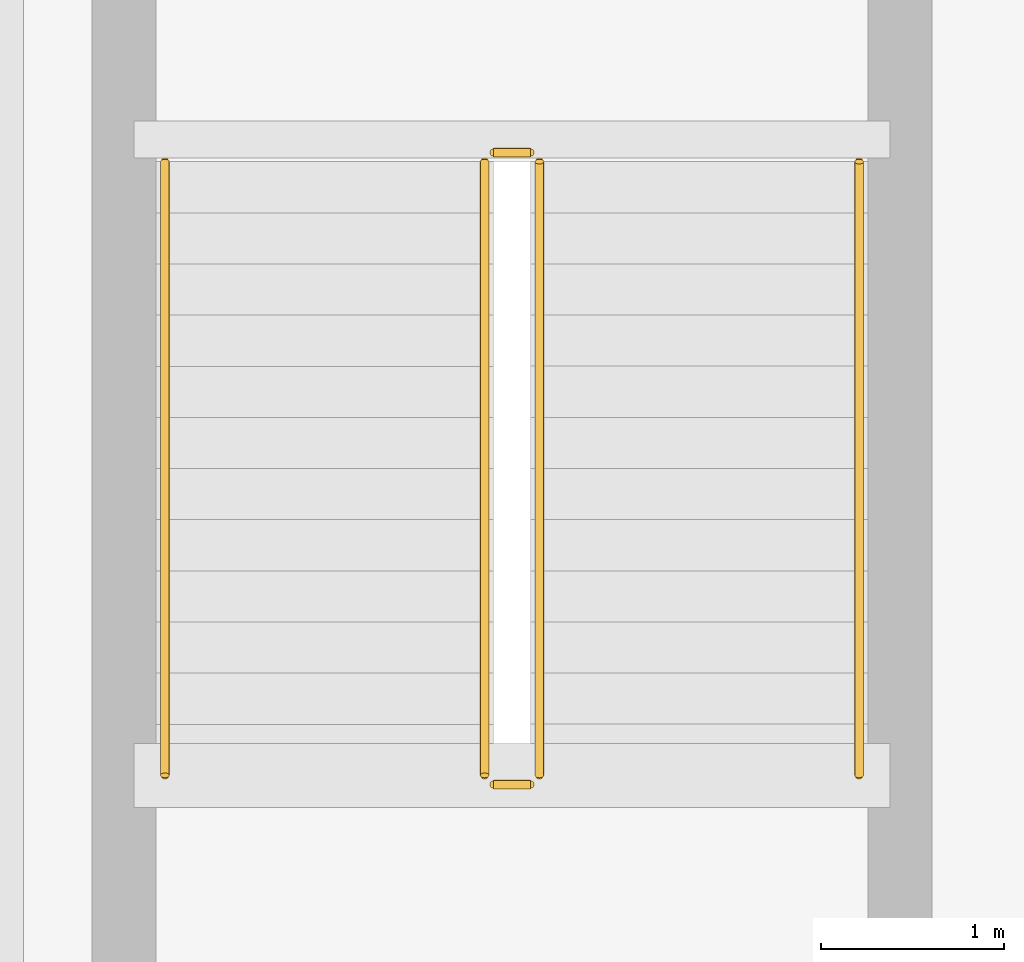
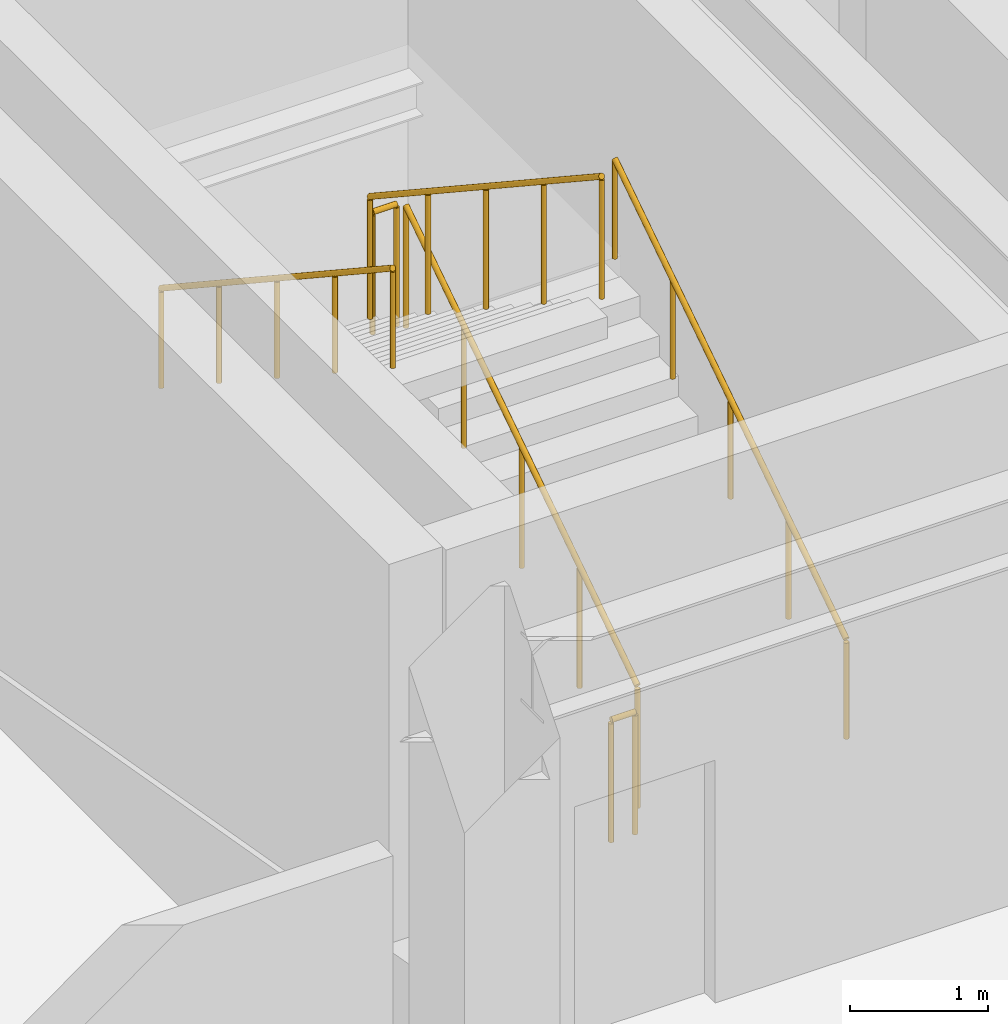
# One storey, part 90 of 96: 6 railings.
"""IFC4 building model written with IfcOpenShell, lengths in metres."""

import ifcopenshell
import ifcopenshell.guid

model = None  # the IFC model being written
_history = None  # IfcOwnerHistory: only IFC2X3 demands one
_inside = {}  # id of a spatial element -> (the spatial element, [elements in it])
_under = {}  # id of a project, library or spatial element -> (it, [spatial elements below it])
_declared = {}  # id of a project -> (the project, [libraries it declares])
_typed = {}  # id of a type object -> (the type object, [elements of that type])
_made_of = {}  # id of a material, layer set ... -> (it, [elements and type objects made of it])


def new_model(schema):
    """Start an empty IFC model of exactly this schema.

    Asked for "IFC4X3", IfcOpenShell would pick the latest addendum, in which some entities
    have other attributes; the version numbers below select the first issue.
    IFC2X3 requires an IfcOwnerHistory on every rooted entity: one is made here for all.
    """
    global model, _history
    if schema == "IFC4X3":
        model = ifcopenshell.file(schema_version=(4, 3, 0, 0))
    else:
        model = ifcopenshell.file(schema=schema)
    _inside.clear()
    _under.clear()
    _declared.clear()
    _typed.clear()
    _made_of.clear()
    _history = None
    if model.schema == "IFC2X3":
        org = make("IfcOrganization", Name="unknown")
        user = make(
            "IfcPersonAndOrganization",
            ThePerson=make("IfcPerson", FamilyName="unknown"),
            TheOrganization=org,
        )
        app = make(
            "IfcApplication",
            ApplicationDeveloper=org,
            Version="unknown",
            ApplicationFullName="unknown",
            ApplicationIdentifier="unknown",
        )
        _history = make(
            "IfcOwnerHistory",
            OwningUser=user,
            OwningApplication=app,
            ChangeAction="ADDED",
            CreationDate=0,
        )
    return model


def make(cls, **values):
    """One entity of the class cls with the attributes given. An attribute that is None is left unset."""
    return model.create_entity(
        cls, **{name: value for name, value in values.items() if value is not None}
    )


def rooted(cls, **values):
    """An entity with a GlobalId (a new one), such as an element, a storey or a relation."""
    return make(cls, GlobalId=ifcopenshell.guid.new(), OwnerHistory=_history, **values)


def si_unit(unit_type, name, prefix=None):
    """IfcSIUnit, for example si_unit("LENGTHUNIT", "METRE", prefix="MILLI")."""
    return make("IfcSIUnit", UnitType=unit_type, Prefix=prefix, Name=name)


def assignment(units):
    """IfcUnitAssignment: the units of a project."""
    return None if units is None else make("IfcUnitAssignment", Units=units)


def point(xyz):
    """IfcCartesianPoint."""
    return None if xyz is None else make("IfcCartesianPoint", Coordinates=xyz)


def direction(xyz):
    """IfcDirection."""
    return None if xyz is None else make("IfcDirection", DirectionRatios=xyz)


def frame(location, z_axis=None, x_axis=None):
    """IfcAxis2Placement3D, a coordinate frame: its origin and axes. An axis left out is left unset."""
    return make(
        "IfcAxis2Placement3D",
        Location=point(location),
        Axis=direction(z_axis),
        RefDirection=direction(x_axis),
    )


def frame_2d(location, x_axis=None):
    """IfcAxis2Placement2D, a coordinate frame in the plane: its origin and x axis."""
    return make(
        "IfcAxis2Placement2D", Location=point(location), RefDirection=direction(x_axis)
    )


def origin():
    """The frame at (0, 0, 0) with its axes left unset."""
    return frame((0.0, 0.0, 0.0))


def origin_2d():
    """The frame at (0, 0) in the plane with its x axis left unset."""
    return frame_2d((0.0, 0.0))


def place(relative_to, where):
    """IfcLocalPlacement: puts the frame where relative to a parent placement (None: the world)."""
    return make(
        "IfcLocalPlacement", PlacementRelTo=relative_to, RelativePlacement=where
    )


def context(
    kind, dimensions, precision=None, world=None, true_north=None, identifier=None
):
    """IfcGeometricRepresentationContext, for example the 3D "Model" context."""
    return make(
        "IfcGeometricRepresentationContext",
        ContextIdentifier=identifier,
        ContextType=kind,
        CoordinateSpaceDimension=dimensions,
        Precision=precision,
        WorldCoordinateSystem=world,
        TrueNorth=true_north,
    )


def subcontext(parent, identifier, kind, view, scale=None):
    """IfcGeometricRepresentationSubContext, for example "Body" below "Model"."""
    return make(
        "IfcGeometricRepresentationSubContext",
        ContextIdentifier=identifier,
        ContextType=kind,
        ParentContext=parent,
        TargetScale=scale,
        TargetView=view,
    )


def project(units=None, contexts=None):
    """IfcProject with its units and contexts."""
    return rooted(
        "IfcProject",
        Name="project",
        RepresentationContexts=contexts,
        UnitsInContext=assignment(units),
    )


def spatial(cls, under=None, at=None, **own):
    """A site, building, storey or space (cls), placed at a placement, below another one or the project."""
    s = rooted(cls, ObjectPlacement=at, **own)
    if under is not None:
        _under.setdefault(under.id(), (under, []))[1].append(s)
    return s


def profile(cls, at=None, kind="AREA", **sizes):
    """A parametric profile (cls). Its sizes go by their IFC names, for example OverallWidth=200.0."""
    return make(cls, ProfileType=kind, Position=at, **sizes)


def circle(**sizes):
    """IfcCircleProfileDef."""
    return profile("IfcCircleProfileDef", **sizes)


def extrude(swept, where, along, depth):
    """IfcExtrudedAreaSolid: the profile swept, set in the frame where, extruded along a direction by depth."""
    return make(
        "IfcExtrudedAreaSolid",
        SweptArea=swept,
        Position=where,
        ExtrudedDirection=direction(along),
        Depth=depth,
    )


def shape(context_of_items, identifier, shape_type, items):
    """IfcShapeRepresentation: the items that make up one representation, for example the "Body"."""
    return make(
        "IfcShapeRepresentation",
        ContextOfItems=context_of_items,
        RepresentationIdentifier=identifier,
        RepresentationType=shape_type,
        Items=items,
    )


def material(Name=None, Category=None):
    """IfcMaterial."""
    return make("IfcMaterial", Name=Name, Category=Category)


def made_of(thing, what):
    """Note that an element or type object is made of a material, layer set ...; save() writes the relation."""
    if what is not None:
        _made_of.setdefault(what.id(), (what, []))[1].append(thing)
    return thing


def type_object(cls, material=None, **own):
    """A type object (cls), such as IfcWallType, which elements share."""
    return made_of(rooted(cls, **own), material)


def element(
    cls,
    number,
    at=None,
    inside=None,
    cuts=None,
    type_object=None,
    material=None,
    context=None,
    identifier="Body",
    shape_type=None,
    held_by="IfcProductDefinitionShape",
    body=None,
    shapes=None,
    **own,
):
    """One element of the class cls, such as IfcWall. Its Tag is "e" and its number.

    at: its placement. inside: the storey or other place that contains it. cuts: it is an
    opening in that element (IfcRelVoidsElement). A single representation is given by context,
    identifier, shape_type and body (its items); several are given by shapes. held_by: the class
    of the entity that holds the representations. save() writes the other relations.
    """
    e = rooted(cls, Tag="e%d" % number, ObjectPlacement=at, **own)
    if body is not None:
        shapes = [shape(context, identifier, shape_type, body)]
    if shapes is not None:
        e.Representation = make(held_by, Representations=shapes)
    if inside is not None:
        _inside.setdefault(inside.id(), (inside, []))[1].append(e)
    if cuts is not None:
        rooted(
            "IfcRelVoidsElement", RelatingBuildingElement=cuts, RelatedOpeningElement=e
        )
    if type_object is not None:
        _typed.setdefault(type_object.id(), (type_object, []))[1].append(e)
    return made_of(e, material)


def aggregate(whole, parts):
    """IfcRelAggregates: a whole, such as a stair, and the parts it consists of."""
    return rooted("IfcRelAggregates", RelatingObject=whole, RelatedObjects=parts)


def save(model, path):
    """Write the relations noted so far, then the file.

    IfcRelAggregates (storeys below a building ...), IfcRelContainedInSpatialStructure (elements
    in a storey), IfcRelDefinesByType, IfcRelAssociatesMaterial and IfcRelDeclares: one each for
    every whole, place, type object, material and project.
    """
    for whole, parts in _under.values():
        aggregate(whole, parts)
    for where, things in _inside.values():
        rooted(
            "IfcRelContainedInSpatialStructure",
            RelatedElements=things,
            RelatingStructure=where,
        )
    for kind, things in _typed.values():
        rooted("IfcRelDefinesByType", RelatedObjects=things, RelatingType=kind)
    for what, things in _made_of.values():
        rooted("IfcRelAssociatesMaterial", RelatedObjects=things, RelatingMaterial=what)
    for by, libraries in _declared.values():
        rooted("IfcRelDeclares", RelatingContext=by, RelatedDefinitions=libraries)
    model.write(path)


model = new_model("IFC4")

# Units and contexts
model_context = context("Model", 3, precision=1e-05, world=origin(), true_north=direction((0.0, 1.0)))
body_context = subcontext(model_context, "Body", "Model", "MODEL_VIEW")
ifc_project = project(units=[si_unit("LENGTHUNIT", "METRE"), si_unit("AREAUNIT", "SQUARE_METRE"), si_unit("VOLUMEUNIT", "CUBIC_METRE"), si_unit("PLANEANGLEUNIT", "RADIAN"), si_unit("MASSUNIT", "GRAM", prefix="KILO")], contexts=[model_context])

# Site, building, storey
site_placement = place(None, origin())
site = spatial("IfcSite", under=ifc_project, at=site_placement, CompositionType="ELEMENT")
building_placement = place(site_placement, origin())
building = spatial("IfcBuilding", under=site, at=building_placement, Name="Vaelkrest Opera House", CompositionType="ELEMENT")
storey_placement = place(building_placement, frame((0.0, 0.0, 5.39990234375)))
storey = spatial("IfcBuildingStorey", under=building, at=storey_placement, Name="L01", CompositionType="ELEMENT", Elevation=5.39990234375)

# Railings
ifc_material = material(Name="Dark bronze anodized aluminium", Category="aluminium")
railing_type_1 = type_object("IfcRailingType", Name="GR02", PredefinedType="GUARDRAIL", material=ifc_material)
railing_1_placement = place(storey_placement, frame((21.10009765625, -25.64990234375, 0.184814453125)))
element("IfcRailing", 1, at=railing_1_placement, inside=storey, type_object=railing_type_1, Name="L01 ST02 stair guard 1", PredefinedType="GUARDRAIL", context=body_context, shape_type="SweptSolid", body=[
    extrude(circle(Radius=0.02392578125, at=origin_2d()), frame((0.0, 0.0, 1.076171875), z_axis=(0.0, 0.834858096282, 0.550465220583), x_axis=(-1.0, 0.0, 0.0)), (0.0, 0.0, 1.0), 4.0244140625),
    extrude(circle(Radius=0.02099609375, at=origin_2d()), origin(), (0.0, 0.0, 1.0), 1.052001953125),
    extrude(circle(Radius=0.02099609375, at=origin_2d()), frame((0.0, 0.83984375, 0.5537109375)), (0.0, 0.0, 1.0), 1.052001953125),
    extrude(circle(Radius=0.02099609375, at=origin_2d()), frame((0.0, 1.679931640625, 1.107666015625)), (0.0, 0.0, 1.0), 1.052001953125),
    extrude(circle(Radius=0.02099609375, at=origin_2d()), frame((0.0, 2.52001953125, 1.66162109375)), (0.0, 0.0, 1.0), 1.052001953125),
    extrude(circle(Radius=0.02099609375, at=origin_2d()), frame((0.0, 3.35986328125, 2.21533203125)), (0.0, 0.0, 1.0), 1.052001953125),
])
railing_2_placement = place(storey_placement, frame((21.050048828125, -22.239990234375, 2.400146484375)))
element("IfcRailing", 2, at=railing_2_placement, inside=storey, type_object=railing_type_1, Name="L01 ST02 stair guard 2", PredefinedType="GUARDRAIL", context=body_context, shape_type="SweptSolid", body=[
    extrude(circle(Radius=0.02392578125, at=origin_2d()), frame((0.0, 0.0, 1.076171875), z_axis=(-1.0, 0.0, 0.0), x_axis=(0.0, -1.0, 0.0)), (0.0, 0.0, 1.0), 0.199951171875),
    extrude(circle(Radius=0.02099609375, at=origin_2d()), origin(), (0.0, 0.0, 1.0), 1.052001953125),
    extrude(circle(Radius=0.02099609375, at=origin_2d()), frame((-0.199951171875, 0.0, 0.0)), (0.0, 0.0, 1.0), 1.052001953125),
])
railing_3_placement = place(storey_placement, frame((20.800048828125, -22.2900390625, 2.584716796875)))
element("IfcRailing", 3, at=railing_3_placement, inside=storey, type_object=railing_type_1, Name="L01 ST02 stair guard 3", PredefinedType="GUARDRAIL", context=body_context, shape_type="SweptSolid", body=[
    extrude(circle(Radius=0.02392578125, at=origin_2d()), frame((0.0, 0.0, 1.076171875), z_axis=(0.0, -0.834858096282, 0.550465220583), x_axis=(1.0, 0.0, 0.0)), (0.0, 0.0, 1.0), 4.0244140625),
    extrude(circle(Radius=0.02099609375, at=origin_2d()), origin(), (0.0, 0.0, 1.0), 1.052001953125),
    extrude(circle(Radius=0.02099609375, at=origin_2d()), frame((0.0, -0.83984375, 0.5537109375)), (0.0, 0.0, 1.0), 1.052001953125),
    extrude(circle(Radius=0.02099609375, at=origin_2d()), frame((0.0, -1.679931640625, 1.107666015625)), (0.0, 0.0, 1.0), 1.052001953125),
    extrude(circle(Radius=0.02099609375, at=origin_2d()), frame((0.0, -2.52001953125, 1.66162109375)), (0.0, 0.0, 1.0), 1.052001953125),
    extrude(circle(Radius=0.02099609375, at=origin_2d()), frame((0.0, -3.35986328125, 2.21533203125)), (0.0, 0.0, 1.0), 1.052001953125),
])
railing_4_placement = place(storey_placement, frame((21.050048828125, -25.699951171875, 0.0)))
element("IfcRailing", 4, at=railing_4_placement, inside=storey, type_object=railing_type_1, Name="L01 ST02 stair guard 4", PredefinedType="GUARDRAIL", context=body_context, shape_type="SweptSolid", body=[
    extrude(circle(Radius=0.02392578125, at=origin_2d()), frame((0.0, 0.0, 1.076171875), z_axis=(-1.0, 0.0, 0.0), x_axis=(0.0, -1.0, 0.0)), (0.0, 0.0, 1.0), 0.199951171875),
    extrude(circle(Radius=0.02099609375, at=origin_2d()), origin(), (0.0, 0.0, 1.0), 1.052001953125),
    extrude(circle(Radius=0.02099609375, at=origin_2d()), frame((-0.199951171875, 0.0, 0.0)), (0.0, 0.0, 1.0), 1.052001953125),
])
railing_type_2 = type_object("IfcRailingType", Name="HR02", PredefinedType="HANDRAIL", material=ifc_material)
railing_5_placement = place(storey_placement, frame((22.85009765625, -25.64990234375, 0.184814453125)))
element("IfcRailing", 5, at=railing_5_placement, inside=storey, type_object=railing_type_2, Name="L01 ST02 stair handrail 1", PredefinedType="HANDRAIL", context=body_context, shape_type="SweptSolid", body=[
    extrude(circle(Radius=0.02392578125, at=origin_2d()), frame((0.0, 0.0, 0.8759765625), z_axis=(0.0, 0.834858096282, 0.550465220583), x_axis=(-1.0, 0.0, 0.0)), (0.0, 0.0, 1.0), 4.0244140625),
    extrude(circle(Radius=0.02099609375, at=origin_2d()), origin(), (0.0, 0.0, 1.0), 0.851806640625),
    extrude(circle(Radius=0.02099609375, at=origin_2d()), frame((0.0, 0.83984375, 0.5537109375)), (0.0, 0.0, 1.0), 0.851806640625),
    extrude(circle(Radius=0.02099609375, at=origin_2d()), frame((0.0, 1.679931640625, 1.107666015625)), (0.0, 0.0, 1.0), 0.851806640625),
    extrude(circle(Radius=0.02099609375, at=origin_2d()), frame((0.0, 2.52001953125, 1.66162109375)), (0.0, 0.0, 1.0), 0.851806640625),
    extrude(circle(Radius=0.02099609375, at=origin_2d()), frame((0.0, 3.35986328125, 2.21533203125)), (0.0, 0.0, 1.0), 0.851806640625),
])
railing_6_placement = place(storey_placement, frame((19.050048828125, -22.2900390625, 2.584716796875)))
element("IfcRailing", 6, at=railing_6_placement, inside=storey, type_object=railing_type_2, Name="L01 ST02 stair handrail 2", PredefinedType="HANDRAIL", context=body_context, shape_type="SweptSolid", body=[
    extrude(circle(Radius=0.02392578125, at=origin_2d()), frame((0.0, 0.0, 0.8759765625), z_axis=(0.0, -0.834858096282, 0.550465220583), x_axis=(1.0, 0.0, 0.0)), (0.0, 0.0, 1.0), 4.0244140625),
    extrude(circle(Radius=0.02099609375, at=origin_2d()), origin(), (0.0, 0.0, 1.0), 0.851806640625),
    extrude(circle(Radius=0.02099609375, at=origin_2d()), frame((0.0, -0.83984375, 0.5537109375)), (0.0, 0.0, 1.0), 0.851806640625),
    extrude(circle(Radius=0.02099609375, at=origin_2d()), frame((0.0, -1.679931640625, 1.107666015625)), (0.0, 0.0, 1.0), 0.851806640625),
    extrude(circle(Radius=0.02099609375, at=origin_2d()), frame((0.0, -2.52001953125, 1.66162109375)), (0.0, 0.0, 1.0), 0.851806640625),
    extrude(circle(Radius=0.02099609375, at=origin_2d()), frame((0.0, -3.35986328125, 2.21533203125)), (0.0, 0.0, 1.0), 0.851806640625),
])

save(model, "model.ifc")
